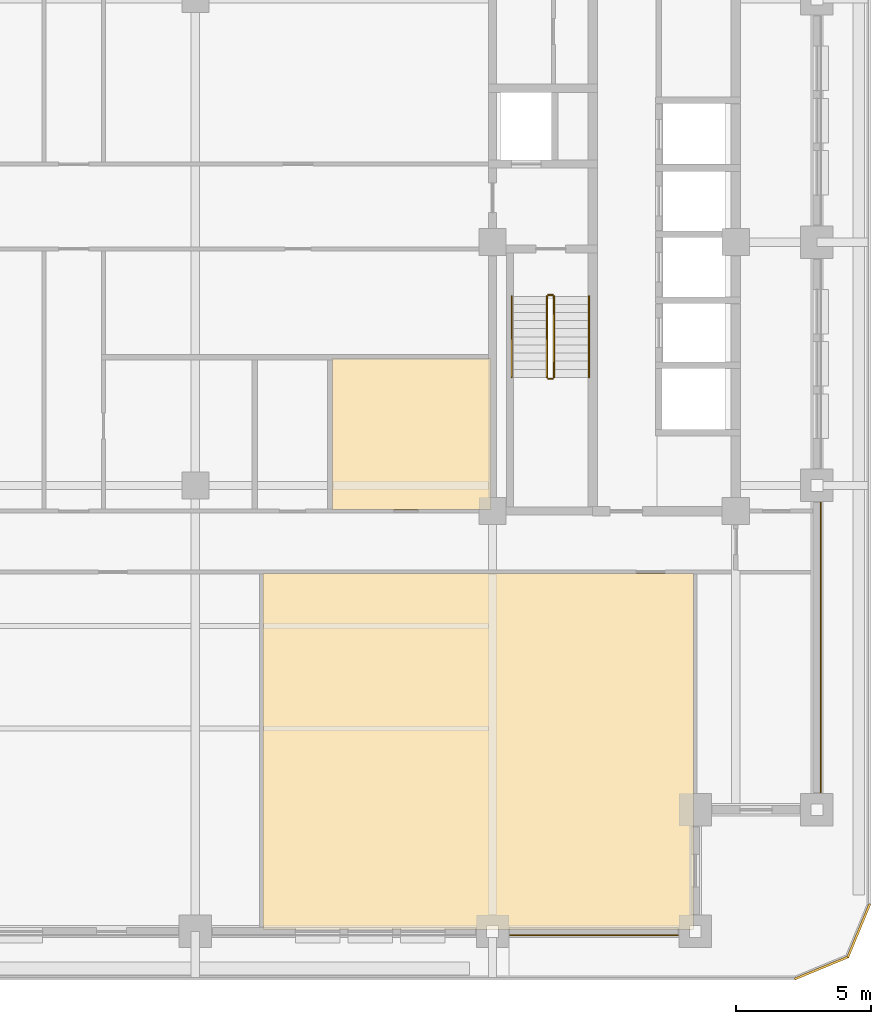
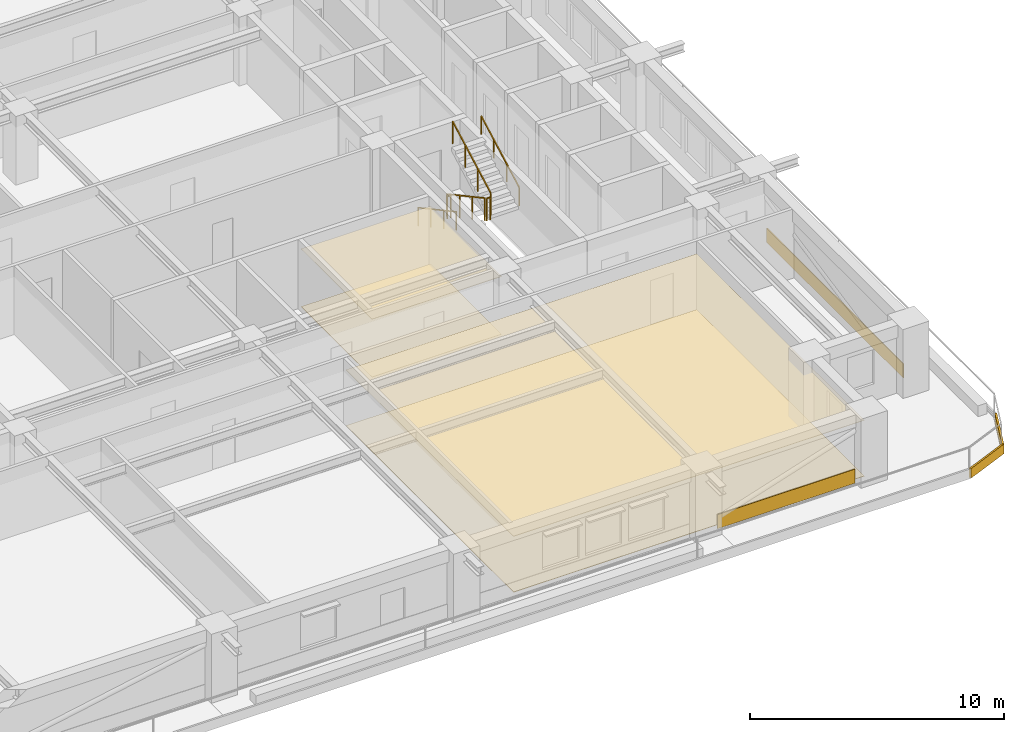
# One storey, part 14 of 15: 8 coverings, 6 railings.
"""IFC4 building model written with IfcOpenShell, lengths in metres."""

from ifc_helpers import new_model, si_unit, direction, frame, frame_2d, origin, origin_2d, place, context, subcontext, project, spatial, polyline, rectangle, outline, extrude, material, layer, layer_set, type_object, element, save


model = new_model("IFC4")

# Units and contexts
model_context = context("Model", 3, precision=1e-05, world=origin(), true_north=direction((0.0, 1.0)))
body_context = subcontext(model_context, "Body", "Model", "MODEL_VIEW")
ifc_project = project(units=[si_unit("LENGTHUNIT", "METRE"), si_unit("AREAUNIT", "SQUARE_METRE"), si_unit("VOLUMEUNIT", "CUBIC_METRE"), si_unit("PLANEANGLEUNIT", "RADIAN"), si_unit("MASSUNIT", "GRAM", prefix="KILO")], contexts=[model_context])

# Site, building, storey
site_placement = place(None, origin())
site = spatial("IfcSite", under=ifc_project, at=site_placement, CompositionType="ELEMENT")
building_placement = place(site_placement, origin())
building = spatial("IfcBuilding", under=site, at=building_placement, Name="Zulmaris Gate Convention Tower", CompositionType="ELEMENT")
storey_placement = place(building_placement, frame((0.0, 0.0, 128.48974609375)))
storey = spatial("IfcBuildingStorey", under=building, at=storey_placement, Name="L32", CompositionType="ELEMENT", Elevation=128.48974609375)

# Coverings
ifc_material_1 = material(Name="Precast concrete C40/50", Category="concrete")
ifc_layer_1 = layer(ifc_material_1, 0.0400390625, Name="Precast concrete C40/50")
ifc_layer_set_1 = layer_set([ifc_layer_1], Name="Precast concrete C40/50")
covering_type_1 = type_object("IfcCoveringType", Name="CLAD-SPANDREL-PRECAST", PredefinedType="CLADDING", material=ifc_layer_set_1)
covering_1_placement = place(storey_placement, frame((11.6298828125, -25.64990234375, 0.0), z_axis=(0.0, 0.0, 1.0), x_axis=(1.0, 0.0, 0.0)))
element("IfcCovering", 1, at=covering_1_placement, inside=storey, type_object=covering_type_1, Name="CLD-L32-S-3_0", PredefinedType="CLADDING", context=body_context, shape_type="SweptSolid", body=[
    extrude(rectangle(XDim=6.240234375, YDim=0.0400390625, at=frame_2d((3.1201171875, 0.0))), origin(), (0.0, 0.0, 1.0), 0.679931640625),
])
covering_2_placement = place(storey_placement, frame((23.14990234375, -20.3701171875, 0.0), z_axis=(0.0, 0.0, 1.0), x_axis=(0.0, 1.0, 0.0)))
element("IfcCovering", 2, at=covering_2_placement, inside=storey, type_object=covering_type_1, Name="CLD-L32-E-0_0", PredefinedType="CLADDING", context=body_context, shape_type="SweptSolid", body=[
    extrude(rectangle(XDim=10.740234375, YDim=0.0400390625, at=frame_2d((5.3701171875, 0.0))), origin(), (0.0, 0.0, 1.0), 0.679931640625),
])
ifc_material_2 = material(Name="White Glazed Architectural Precast Concrete C40/50", Category="concrete")
ifc_layer_2 = layer(ifc_material_2, 0.080078125, Name="White Glazed Architectural Precast Concrete C40/50")
ifc_layer_set_2 = layer_set([ifc_layer_2], Name="White Glazed Architectural Precast Concrete C40/50")
covering_type_2 = type_object("IfcCoveringType", Name="CLAD-TRAY-FASCIA", PredefinedType="CLADDING", material=ifc_layer_set_2)
covering_3_placement = place(storey_placement, frame((22.184814453125, -27.262939453125, -0.2900390625), z_axis=(0.0, 0.0, 1.0), x_axis=(0.923873803533, 0.382697263049, 0.0)))
element("IfcCovering", 3, at=covering_3_placement, inside=storey, type_object=covering_type_2, Name="FSC-L32-TR-03", PredefinedType="CLADDING", context=body_context, shape_type="SweptSolid", body=[
    extrude(rectangle(XDim=2.142822265625, YDim=0.080078125, at=frame_2d((1.0712890625, 0.0))), origin(), (0.0, 0.0, 1.0), 0.4599609375),
])
covering_4_placement = place(storey_placement, frame((24.142822265625, -26.464599609375, -0.2900390625), z_axis=(0.0, 0.0, 1.0), x_axis=(0.382656984709, 0.923890487046, 0.0)))
element("IfcCovering", 4, at=covering_4_placement, inside=storey, type_object=covering_type_2, Name="FSC-L32-TR-04", PredefinedType="CLADDING", context=body_context, shape_type="SweptSolid", body=[
    extrude(rectangle(XDim=2.14306640625, YDim=0.080078125, at=frame_2d((1.071533203125, 0.0))), origin(), (0.0, 0.0, 1.0), 0.4599609375),
])
ifc_material_3 = material(Name="Mineral Fibre Acoustic Ceiling Tile")
ifc_layer_3 = layer(ifc_material_3, 0.02001953125, Name="Mineral Fibre Acoustic Ceiling Tile")
ifc_layer_set_3 = layer_set([ifc_layer_3], Name="Mineral Fibre Acoustic Ceiling Tile")
covering_type_3 = type_object("IfcCoveringType", Name="CLG-ACOUSTIC-600", PredefinedType="CEILING", material=ifc_layer_set_3)
covering_5_placement = place(storey_placement, frame((0.0, 0.0, 2.68017578125)))
element("IfcCovering", 5, at=covering_5_placement, inside=storey, type_object=covering_type_3, Name="CLG-L32-R40", PredefinedType="CEILING", context=body_context, shape_type="SweptSolid", body=[
    extrude(outline(polyline([(2.510009765625, -25.43994140625), (18.43994140625, -25.43994140625), (18.43994140625, -12.260009765625), (2.510009765625, -12.260009765625), (2.510009765625, -25.43994140625)])), origin(), (0.0, 0.0, 1.0), 0.019775390625),
])
covering_6_placement = place(storey_placement, frame((0.0, 0.0, 2.778076171875)))
element("IfcCovering", 6, at=covering_6_placement, inside=storey, type_object=covering_type_3, Name="CLG-L32-R47", PredefinedType="CEILING", context=body_context, shape_type="SweptSolid", body=[
    extrude(outline(polyline([(5.06005859375, -9.889892578125), (10.93994140625, -9.889892578125), (10.93994140625, -4.31005859375), (5.06005859375, -4.31005859375), (5.06005859375, -9.889892578125)])), origin(), (0.0, 0.0, 1.0), 0.02001953125),
])
ifc_material_4 = material(Name="Woven Acoustic Wool Carpet Tile")
ifc_layer_4 = layer(ifc_material_4, 0.02001953125, Name="Woven Acoustic Wool Carpet Tile")
ifc_layer_set_4 = layer_set([ifc_layer_4], Name="Woven Acoustic Wool Carpet Tile")
covering_type_4 = type_object("IfcCoveringType", Name="FLR-CARPET-12", PredefinedType="FLOORING", material=ifc_layer_set_4)
covering_7_placement = place(storey_placement, origin())
element("IfcCovering", 7, at=covering_7_placement, inside=storey, type_object=covering_type_4, Name="FLR-L32-R40", PredefinedType="FLOORING", context=body_context, shape_type="SweptSolid", body=[
    extrude(outline(polyline([(2.510009765625, -25.43994140625), (18.43994140625, -25.43994140625), (18.43994140625, -12.260009765625), (2.510009765625, -12.260009765625), (2.510009765625, -25.43994140625)])), origin(), (0.0, 0.0, 1.0), 0.02001953125),
])
covering_8_placement = place(storey_placement, origin())
element("IfcCovering", 8, at=covering_8_placement, inside=storey, type_object=covering_type_4, Name="FLR-L32-R47", PredefinedType="FLOORING", context=body_context, shape_type="SweptSolid", body=[
    extrude(outline(polyline([(5.06005859375, -9.889892578125), (10.93994140625, -9.889892578125), (10.93994140625, -4.31005859375), (5.06005859375, -4.31005859375), (5.06005859375, -9.889892578125)])), origin(), (0.0, 0.0, 1.0), 0.02001953125),
])

# Railings
ifc_material_5 = material(Name="Painted Galvanised Steel", Category="steel")
railing_type_1 = type_object("IfcRailingType", Name="RL-STG-1150", PredefinedType="GUARDRAIL", material=ifc_material_5)
railing_1_placement = place(storey_placement, frame((13.010009765625, -2.0, 0.162109375)))
element("IfcRailing", 9, at=railing_1_placement, inside=storey, type_object=railing_type_1, Name="L32 ST-2 stair guard 1", PredefinedType="GUARDRAIL", context=body_context, shape_type="SweptSolid", body=[
    extrude(rectangle(XDim=0.048095703125, YDim=0.048095703125, at=origin_2d()), frame((0.0, 0.0, 1.076171875), z_axis=(0.0, -0.8795616155, 0.475784998228), x_axis=(1.0, 0.0, 0.0)), (0.0, 0.0, 1.0), 3.410888671875),
    extrude(rectangle(XDim=0.0419921875, YDim=0.0419921875, at=origin_2d()), origin(), (0.0, 0.0, 1.0), 1.052001953125),
    extrude(rectangle(XDim=0.0419921875, YDim=0.0419921875, at=origin_2d()), frame((0.0, -1.0, 0.541015625)), (0.0, 0.0, 1.0), 1.052001953125),
    extrude(rectangle(XDim=0.0419921875, YDim=0.0419921875, at=origin_2d()), frame((0.0, -2.0, 1.081787109375)), (0.0, 0.0, 1.0), 1.052001953125),
    extrude(rectangle(XDim=0.0419921875, YDim=0.0419921875, at=origin_2d()), frame((0.0, -3.0, 1.622802734375)), (0.0, 0.0, 1.0), 1.052001953125),
])
railing_2_placement = place(storey_placement, frame((13.06005859375, -5.050048828125, 1.784912109375)))
element("IfcRailing", 10, at=railing_2_placement, inside=storey, type_object=railing_type_1, Name="L32 ST-2 stair guard 2", PredefinedType="GUARDRAIL", context=body_context, shape_type="SweptSolid", body=[
    extrude(rectangle(XDim=0.048095703125, YDim=0.048095703125, at=origin_2d()), frame((0.0, 0.0, 1.076171875), z_axis=(1.0, 0.0, 0.0), x_axis=(0.0, 1.0, 0.0)), (0.0, 0.0, 1.0), 0.159912109375),
    extrude(rectangle(XDim=0.0419921875, YDim=0.0419921875, at=origin_2d()), origin(), (0.0, 0.0, 1.0), 1.052001953125),
    extrude(rectangle(XDim=0.0419921875, YDim=0.0419921875, at=origin_2d()), frame((0.159912109375, 0.0, 0.0)), (0.0, 0.0, 1.0), 1.052001953125),
])
railing_3_placement = place(storey_placement, frame((13.27001953125, -5.0, 1.947265625)))
element("IfcRailing", 11, at=railing_3_placement, inside=storey, type_object=railing_type_1, Name="L32 ST-2 stair guard 3", PredefinedType="GUARDRAIL", context=body_context, shape_type="SweptSolid", body=[
    extrude(rectangle(XDim=0.048095703125, YDim=0.048095703125, at=origin_2d()), frame((0.0, 0.0, 1.076171875), z_axis=(0.0, 0.8795616155, 0.475784998228), x_axis=(-1.0, 0.0, 0.0)), (0.0, 0.0, 1.0), 3.410888671875),
    extrude(rectangle(XDim=0.0419921875, YDim=0.0419921875, at=origin_2d()), origin(), (0.0, 0.0, 1.0), 1.052001953125),
    extrude(rectangle(XDim=0.0419921875, YDim=0.0419921875, at=origin_2d()), frame((0.0, 1.0, 0.541015625)), (0.0, 0.0, 1.0), 1.052001953125),
    extrude(rectangle(XDim=0.0419921875, YDim=0.0419921875, at=origin_2d()), frame((0.0, 2.0, 1.081787109375)), (0.0, 0.0, 1.0), 1.052001953125),
    extrude(rectangle(XDim=0.0419921875, YDim=0.0419921875, at=origin_2d()), frame((0.0, 3.0, 1.622802734375)), (0.0, 0.0, 1.0), 1.052001953125),
])
railing_4_placement = place(storey_placement, frame((13.06005859375, -1.949951171875, 0.0)))
element("IfcRailing", 12, at=railing_4_placement, inside=storey, type_object=railing_type_1, Name="L32 ST-2 stair guard 4", PredefinedType="GUARDRAIL", context=body_context, shape_type="SweptSolid", body=[
    extrude(rectangle(XDim=0.048095703125, YDim=0.048095703125, at=origin_2d()), frame((0.0, 0.0, 1.076171875), z_axis=(1.0, 0.0, 0.0), x_axis=(0.0, 1.0, 0.0)), (0.0, 0.0, 1.0), 0.159912109375),
    extrude(rectangle(XDim=0.0419921875, YDim=0.0419921875, at=origin_2d()), origin(), (0.0, 0.0, 1.0), 1.052001953125),
    extrude(rectangle(XDim=0.0419921875, YDim=0.0419921875, at=origin_2d()), frame((0.159912109375, 0.0, 0.0)), (0.0, 0.0, 1.0), 1.052001953125),
])
ifc_material_6 = material(Name="Brushed Stainless Steel", Category="steel")
railing_type_2 = type_object("IfcRailingType", Name="RL-STH-900", PredefinedType="HANDRAIL", material=ifc_material_6)
railing_5_placement = place(storey_placement, frame((11.7099609375, -2.0, 0.162109375)))
element("IfcRailing", 13, at=railing_5_placement, inside=storey, type_object=railing_type_2, Name="L32 ST-2 stair handrail 1", PredefinedType="HANDRAIL", context=body_context, shape_type="SweptSolid", body=[
    extrude(rectangle(XDim=0.048095703125, YDim=0.048095703125, at=origin_2d()), frame((0.0, 0.0, 0.8759765625), z_axis=(0.0, -0.8795616155, 0.475784998228), x_axis=(1.0, 0.0, 0.0)), (0.0, 0.0, 1.0), 3.410888671875),
    extrude(rectangle(XDim=0.0419921875, YDim=0.0419921875, at=origin_2d()), origin(), (0.0, 0.0, 1.0), 0.851806640625),
    extrude(rectangle(XDim=0.0419921875, YDim=0.0419921875, at=origin_2d()), frame((0.0, -1.0, 0.541015625)), (0.0, 0.0, 1.0), 0.851806640625),
    extrude(rectangle(XDim=0.0419921875, YDim=0.0419921875, at=origin_2d()), frame((0.0, -2.0, 1.081787109375)), (0.0, 0.0, 1.0), 0.851806640625),
    extrude(rectangle(XDim=0.0419921875, YDim=0.0419921875, at=origin_2d()), frame((0.0, -3.0, 1.622802734375)), (0.0, 0.0, 1.0), 0.851806640625),
])
railing_6_placement = place(storey_placement, frame((14.570068359375, -5.0, 1.947265625)))
element("IfcRailing", 14, at=railing_6_placement, inside=storey, type_object=railing_type_2, Name="L32 ST-2 stair handrail 2", PredefinedType="HANDRAIL", context=body_context, shape_type="SweptSolid", body=[
    extrude(rectangle(XDim=0.048095703125, YDim=0.048095703125, at=origin_2d()), frame((0.0, 0.0, 0.8759765625), z_axis=(0.0, 0.8795616155, 0.475784998228), x_axis=(-1.0, 0.0, 0.0)), (0.0, 0.0, 1.0), 3.410888671875),
    extrude(rectangle(XDim=0.0419921875, YDim=0.0419921875, at=origin_2d()), origin(), (0.0, 0.0, 1.0), 0.851806640625),
    extrude(rectangle(XDim=0.0419921875, YDim=0.0419921875, at=origin_2d()), frame((0.0, 1.0, 0.541015625)), (0.0, 0.0, 1.0), 0.851806640625),
    extrude(rectangle(XDim=0.0419921875, YDim=0.0419921875, at=origin_2d()), frame((0.0, 2.0, 1.081787109375)), (0.0, 0.0, 1.0), 0.851806640625),
    extrude(rectangle(XDim=0.0419921875, YDim=0.0419921875, at=origin_2d()), frame((0.0, 3.0, 1.622802734375)), (0.0, 0.0, 1.0), 0.851806640625),
])

save(model, "model.ifc")
